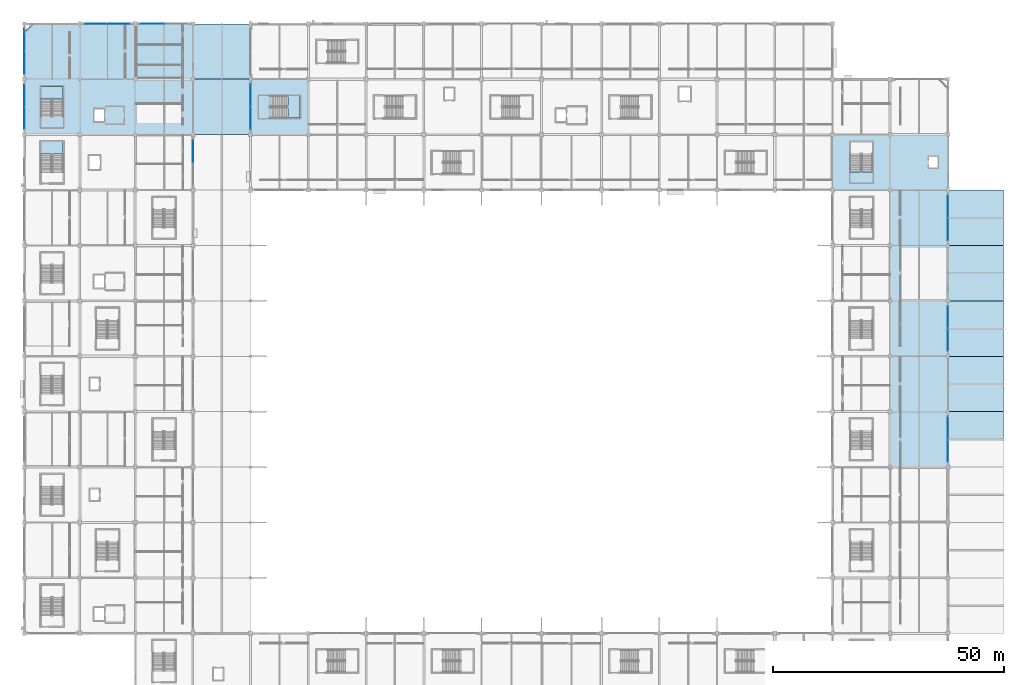
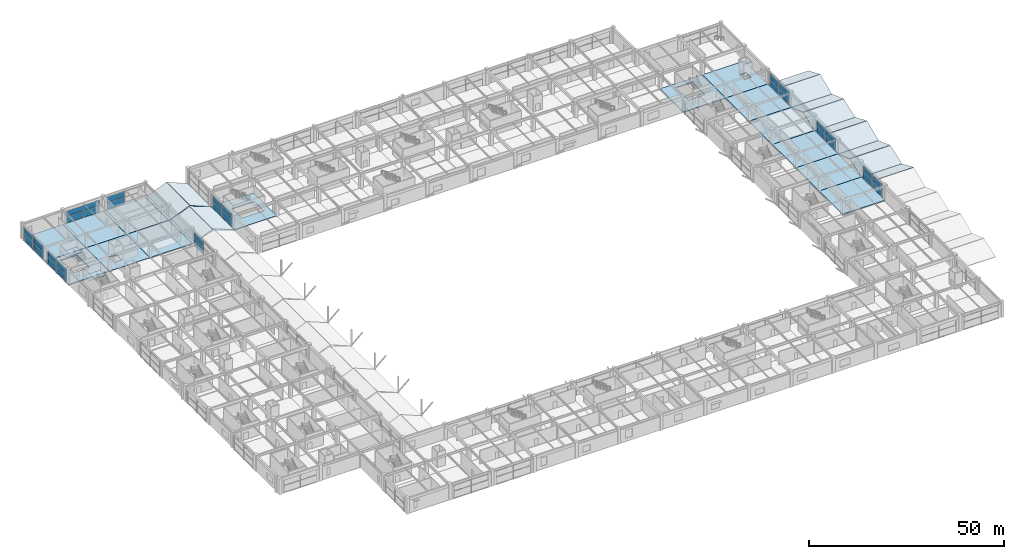
# One storey, part 59 of 116: 32 plates, 30 slabs, 12 elements without a shape of their own.
"""IFC4 building model written with IfcOpenShell, lengths in metres."""

from ifc_helpers import new_model, si_unit, direction, frame, origin, origin_2d, place, context, subcontext, project, spatial, polyline, rectangle, outline, extrude, material, layer, layer_set, type_object, element, aggregate, save


model = new_model("IFC4")

# Units and contexts
model_context = context("Model", 3, precision=1e-05, world=origin(), true_north=direction((0.0, 1.0)))
body_context = subcontext(model_context, "Body", "Model", "MODEL_VIEW")
ifc_project = project(units=[si_unit("LENGTHUNIT", "METRE"), si_unit("AREAUNIT", "SQUARE_METRE"), si_unit("VOLUMEUNIT", "CUBIC_METRE"), si_unit("PLANEANGLEUNIT", "RADIAN"), si_unit("MASSUNIT", "GRAM", prefix="KILO")], contexts=[model_context])

# Site, building, storey
site_placement = place(None, origin())
site = spatial("IfcSite", under=ifc_project, at=site_placement, CompositionType="ELEMENT")
building_placement = place(site_placement, origin())
building = spatial("IfcBuilding", under=site, at=building_placement, Name="Kazenohara Klinker Stadium", CompositionType="ELEMENT")
storey_placement = place(building_placement, frame((0.0, 0.0, 10.199951171875)))
storey = spatial("IfcBuildingStorey", under=building, at=storey_placement, Name="L02", CompositionType="ELEMENT", Elevation=10.199951171875)

# Curtain wall, plates
ifc_material_1 = material(Name="Anodised aluminium and triple glazing", Category="aluminium")
ifc_layer_1 = layer(ifc_material_1, 0.199951171875)
ifc_layer_set_1 = layer_set([ifc_layer_1], Name="Anodised aluminium and triple glazing")
curtain_wall_type_1 = type_object("IfcCurtainWallType", Name="CW-SYS-03", PredefinedType="USERDEFINED", material=ifc_layer_set_1)
curtain_wall_1_placement = place(storey_placement, origin())
curtain_wall_1 = element("IfcCurtainWall", 1, at=curtain_wall_1_placement, inside=storey, type_object=curtain_wall_type_1, Name="Unitised facade curtain wall CW03 L02 Y0-13", ObjectType="UNITISED CURTAIN WALL", PredefinedType="USERDEFINED")
ifc_material_2 = material(Name="Low-e laminated triple glazing", Category="glass")
ifc_layer_2 = layer(ifc_material_2, 0.035888671875)
ifc_layer_set_2 = layer_set([ifc_layer_2], Name="Low-e laminated triple glazing")
plate_type_1 = type_object("IfcPlateType", Name="CW-PNL-36", PredefinedType="CURTAIN_PANEL", material=ifc_layer_set_2)
plate_1_placement = place(storey_placement, frame((0.0, 159.580810546875, 0.065185546875), z_axis=(0.0, 0.0, 1.0), x_axis=(0.0, 1.0, 0.0)))
plate_1 = element("IfcPlate", 2, at=plate_1_placement, type_object=plate_type_1, Name="CW03 panel 1.1", PredefinedType="CURTAIN_PANEL", context=body_context, shape_type="SweptSolid", body=[
    extrude(rectangle(XDim=4.823486328125, YDim=0.035888671875, at=origin_2d()), origin(), (0.0, 0.0, 1.0), 2.16845703125),
])
plate_2_placement = place(storey_placement, frame((0.0, 159.580810546875, 2.29833984375), z_axis=(0.0, 0.0, 1.0), x_axis=(0.0, 1.0, 0.0)))
plate_2 = element("IfcPlate", 3, at=plate_2_placement, type_object=plate_type_1, Name="CW03 panel 1.2", PredefinedType="CURTAIN_PANEL", context=body_context, shape_type="SweptSolid", body=[
    extrude(rectangle(XDim=4.823486328125, YDim=0.035888671875, at=origin_2d()), origin(), (0.0, 0.0, 1.0), 1.756591796875),
])
plate_3_placement = place(storey_placement, frame((0.0, 164.46923828125, 0.065185546875), z_axis=(0.0, 0.0, 1.0), x_axis=(0.0, 1.0, 0.0)))
plate_3 = element("IfcPlate", 4, at=plate_3_placement, type_object=plate_type_1, Name="CW03 panel 2.1", PredefinedType="CURTAIN_PANEL", context=body_context, shape_type="SweptSolid", body=[
    extrude(rectangle(XDim=4.823486328125, YDim=0.035888671875, at=origin_2d()), origin(), (0.0, 0.0, 1.0), 2.16845703125),
])
plate_4_placement = place(storey_placement, frame((0.0, 164.46923828125, 2.29833984375), z_axis=(0.0, 0.0, 1.0), x_axis=(0.0, 1.0, 0.0)))
plate_4 = element("IfcPlate", 5, at=plate_4_placement, type_object=plate_type_1, Name="CW03 panel 2.2", PredefinedType="CURTAIN_PANEL", context=body_context, shape_type="SweptSolid", body=[
    extrude(rectangle(XDim=4.823486328125, YDim=0.035888671875, at=origin_2d()), origin(), (0.0, 0.0, 1.0), 1.756591796875),
])
aggregate(curtain_wall_1, [plate_1, plate_2, plate_3, plate_4])

ifc_layer_3 = layer(ifc_material_1, 0.159912109375)
ifc_layer_set_3 = layer_set([ifc_layer_3], Name="Anodised aluminium and triple glazing")
curtain_wall_type_2 = type_object("IfcCurtainWallType", Name="CW-SYS-01", PredefinedType="USERDEFINED", material=ifc_layer_set_3)
curtain_wall_2_placement = place(storey_placement, origin())
curtain_wall_2 = element("IfcCurtainWall", 6, at=curtain_wall_2_placement, inside=storey, type_object=curtain_wall_type_2, Name="Unitised facade curtain wall CW01 L02 X2-14", ObjectType="UNITISED CURTAIN WALL", PredefinedType="USERDEFINED")
plate_5_placement = place(storey_placement, frame((27.705810546875, 168.0, 0.065185546875), z_axis=(0.0, 0.0, 1.0), x_axis=(1.0, 0.0, 0.0)))
plate_5 = element("IfcPlate", 7, at=plate_5_placement, type_object=plate_type_1, Name="CW01 panel 1.1", PredefinedType="CURTAIN_PANEL", context=body_context, shape_type="SweptSolid", body=[
    extrude(rectangle(XDim=5.073486328125, YDim=0.035888671875, at=origin_2d()), origin(), (0.0, 0.0, 1.0), 2.16845703125),
])
plate_6_placement = place(storey_placement, frame((27.705810546875, 168.0, 2.29833984375), z_axis=(0.0, 0.0, 1.0), x_axis=(1.0, 0.0, 0.0)))
plate_6 = element("IfcPlate", 8, at=plate_6_placement, type_object=plate_type_1, Name="CW01 panel 1.2", PredefinedType="CURTAIN_PANEL", context=body_context, shape_type="SweptSolid", body=[
    extrude(rectangle(XDim=5.073486328125, YDim=0.035888671875, at=origin_2d()), origin(), (0.0, 0.0, 1.0), 1.756591796875),
])
aggregate(curtain_wall_2, [plate_5, plate_6])

ifc_layer_4 = layer(ifc_material_1, 0.18994140625)
ifc_layer_set_4 = layer_set([ifc_layer_4], Name="Anodised aluminium and triple glazing")
curtain_wall_type_3 = type_object("IfcCurtainWallType", Name="CW-SYS-05", PredefinedType="USERDEFINED", material=ifc_layer_set_4)
curtain_wall_3_placement = place(storey_placement, origin())
curtain_wall_3 = element("IfcCurtainWall", 9, at=curtain_wall_3_placement, inside=storey, type_object=curtain_wall_type_3, Name="Unitised facade curtain wall CW05 L02 Y4-12", ObjectType="UNITISED CURTAIN WALL", PredefinedType="USERDEFINED")
plate_7_placement = place(storey_placement, frame((49.0, 147.580810546875, 0.065185546875), z_axis=(0.0, 0.0, 1.0), x_axis=(0.0, 1.0, 0.0)))
plate_7 = element("IfcPlate", 10, at=plate_7_placement, type_object=plate_type_1, Name="CW05 panel 1.1", PredefinedType="CURTAIN_PANEL", context=body_context, shape_type="SweptSolid", body=[
    extrude(rectangle(XDim=4.823486328125, YDim=0.035888671875, at=origin_2d()), origin(), (0.0, 0.0, 1.0), 2.16845703125),
])
plate_8_placement = place(storey_placement, frame((49.0, 147.580810546875, 2.29833984375), z_axis=(0.0, 0.0, 1.0), x_axis=(0.0, 1.0, 0.0)))
plate_8 = element("IfcPlate", 11, at=plate_8_placement, type_object=plate_type_1, Name="CW05 panel 1.2", PredefinedType="CURTAIN_PANEL", context=body_context, shape_type="SweptSolid", body=[
    extrude(rectangle(XDim=4.823486328125, YDim=0.035888671875, at=origin_2d()), origin(), (0.0, 0.0, 1.0), 1.756591796875),
])
plate_9_placement = place(storey_placement, frame((49.0, 152.46923828125, 0.065185546875), z_axis=(0.0, 0.0, 1.0), x_axis=(0.0, 1.0, 0.0)))
plate_9 = element("IfcPlate", 12, at=plate_9_placement, type_object=plate_type_1, Name="CW05 panel 2.1", PredefinedType="CURTAIN_PANEL", context=body_context, shape_type="SweptSolid", body=[
    extrude(rectangle(XDim=4.823486328125, YDim=0.035888671875, at=origin_2d()), origin(), (0.0, 0.0, 1.0), 2.16845703125),
])
plate_10_placement = place(storey_placement, frame((49.0, 152.46923828125, 2.29833984375), z_axis=(0.0, 0.0, 1.0), x_axis=(0.0, 1.0, 0.0)))
plate_10 = element("IfcPlate", 13, at=plate_10_placement, type_object=plate_type_1, Name="CW05 panel 2.2", PredefinedType="CURTAIN_PANEL", context=body_context, shape_type="SweptSolid", body=[
    extrude(rectangle(XDim=4.823486328125, YDim=0.035888671875, at=origin_2d()), origin(), (0.0, 0.0, 1.0), 1.756591796875),
])
aggregate(curtain_wall_3, [plate_7, plate_8, plate_9, plate_10])

curtain_wall_4_placement = place(storey_placement, origin())
curtain_wall_4 = element("IfcCurtainWall", 14, at=curtain_wall_4_placement, inside=storey, type_object=curtain_wall_type_2, Name="Unitised facade curtain wall CW01 L02 Y16-6", ObjectType="UNITISED CURTAIN WALL", PredefinedType="USERDEFINED")
plate_11_placement = place(storey_placement, frame((200.0, 75.580810546875, 0.065185546875), z_axis=(0.0, 0.0, 1.0), x_axis=(0.0, 1.0, 0.0)))
plate_11 = element("IfcPlate", 15, at=plate_11_placement, type_object=plate_type_1, Name="CW01 panel 1.1", PredefinedType="CURTAIN_PANEL", context=body_context, shape_type="SweptSolid", body=[
    extrude(rectangle(XDim=4.823486328125, YDim=0.035888671875, at=origin_2d()), origin(), (0.0, 0.0, 1.0), 2.16845703125),
])
plate_12_placement = place(storey_placement, frame((200.0, 75.580810546875, 2.29833984375), z_axis=(0.0, 0.0, 1.0), x_axis=(0.0, 1.0, 0.0)))
plate_12 = element("IfcPlate", 16, at=plate_12_placement, type_object=plate_type_1, Name="CW01 panel 1.2", PredefinedType="CURTAIN_PANEL", context=body_context, shape_type="SweptSolid", body=[
    extrude(rectangle(XDim=4.823486328125, YDim=0.035888671875, at=origin_2d()), origin(), (0.0, 0.0, 1.0), 1.756591796875),
])
plate_13_placement = place(storey_placement, frame((200.0, 80.46923828125, 0.065185546875), z_axis=(0.0, 0.0, 1.0), x_axis=(0.0, 1.0, 0.0)))
plate_13 = element("IfcPlate", 17, at=plate_13_placement, type_object=plate_type_1, Name="CW01 panel 2.1", PredefinedType="CURTAIN_PANEL", context=body_context, shape_type="SweptSolid", body=[
    extrude(rectangle(XDim=4.823486328125, YDim=0.035888671875, at=origin_2d()), origin(), (0.0, 0.0, 1.0), 2.16845703125),
])
plate_14_placement = place(storey_placement, frame((200.0, 80.46923828125, 2.29833984375), z_axis=(0.0, 0.0, 1.0), x_axis=(0.0, 1.0, 0.0)))
plate_14 = element("IfcPlate", 18, at=plate_14_placement, type_object=plate_type_1, Name="CW01 panel 2.2", PredefinedType="CURTAIN_PANEL", context=body_context, shape_type="SweptSolid", body=[
    extrude(rectangle(XDim=4.823486328125, YDim=0.035888671875, at=origin_2d()), origin(), (0.0, 0.0, 1.0), 1.756591796875),
])
aggregate(curtain_wall_4, [plate_11, plate_12, plate_13, plate_14])

curtain_wall_5_placement = place(storey_placement, origin())
curtain_wall_5 = element("IfcCurtainWall", 19, at=curtain_wall_5_placement, inside=storey, type_object=curtain_wall_type_1, Name="Unitised facade curtain wall CW03 L02 Y16-10", ObjectType="UNITISED CURTAIN WALL", PredefinedType="USERDEFINED")
plate_15_placement = place(storey_placement, frame((200.0, 123.518310546875, 0.065185546875), z_axis=(0.0, 0.0, 1.0), x_axis=(0.0, 1.0, 0.0)))
plate_15 = element("IfcPlate", 20, at=plate_15_placement, type_object=plate_type_1, Name="CW03 panel 1.1", PredefinedType="CURTAIN_PANEL", context=body_context, shape_type="SweptSolid", body=[
    extrude(rectangle(XDim=4.798583984375, YDim=0.035888671875, at=origin_2d()), origin(), (0.0, 0.0, 1.0), 2.22998046875),
])
plate_16_placement = place(storey_placement, frame((200.0, 123.518310546875, 2.3603515625), z_axis=(0.0, 0.0, 1.0), x_axis=(0.0, 1.0, 0.0)))
plate_16 = element("IfcPlate", 21, at=plate_16_placement, type_object=plate_type_1, Name="CW03 panel 1.2", PredefinedType="CURTAIN_PANEL", context=body_context, shape_type="SweptSolid", body=[
    extrude(rectangle(XDim=4.798583984375, YDim=0.035888671875, at=origin_2d()), origin(), (0.0, 0.0, 1.0), 1.806884765625),
])
plate_17_placement = place(storey_placement, frame((200.0, 128.3818359375, 0.065185546875), z_axis=(0.0, 0.0, 1.0), x_axis=(0.0, 1.0, 0.0)))
plate_17 = element("IfcPlate", 22, at=plate_17_placement, type_object=plate_type_1, Name="CW03 panel 2.1", PredefinedType="CURTAIN_PANEL", context=body_context, shape_type="SweptSolid", body=[
    extrude(rectangle(XDim=4.798583984375, YDim=0.035888671875, at=origin_2d()), origin(), (0.0, 0.0, 1.0), 2.22998046875),
])
plate_18_placement = place(storey_placement, frame((200.0, 128.3818359375, 2.3603515625), z_axis=(0.0, 0.0, 1.0), x_axis=(0.0, 1.0, 0.0)))
plate_18 = element("IfcPlate", 23, at=plate_18_placement, type_object=plate_type_1, Name="CW03 panel 2.2", PredefinedType="CURTAIN_PANEL", context=body_context, shape_type="SweptSolid", body=[
    extrude(rectangle(XDim=4.798583984375, YDim=0.035888671875, at=origin_2d()), origin(), (0.0, 0.0, 1.0), 1.806884765625),
])
aggregate(curtain_wall_5, [plate_15, plate_16, plate_17, plate_18])

ifc_layer_5 = layer(ifc_material_1, 0.179931640625)
ifc_layer_set_5 = layer_set([ifc_layer_5], Name="Anodised aluminium and triple glazing")
curtain_wall_type_4 = type_object("IfcCurtainWallType", Name="CW-SYS-02", PredefinedType="USERDEFINED", material=ifc_layer_set_5)
curtain_wall_6_placement = place(storey_placement, origin())
curtain_wall_6 = element("IfcCurtainWall", 24, at=curtain_wall_6_placement, inside=storey, type_object=curtain_wall_type_4, Name="Unitised facade curtain wall CW02 L02 Y0-12", ObjectType="UNITISED CURTAIN WALL", PredefinedType="USERDEFINED")
ifc_layer_6 = layer(ifc_material_2, 0.0439453125)
ifc_layer_set_6 = layer_set([ifc_layer_6], Name="Low-e laminated triple glazing")
plate_type_2 = type_object("IfcPlateType", Name="CW-PNL-44", PredefinedType="CURTAIN_PANEL", material=ifc_layer_set_6)
plate_19_placement = place(storey_placement, frame((0.0, 147.608154296875, 0.0751953125), z_axis=(0.0, 0.0, 1.0), x_axis=(0.0, 1.0, 0.0)))
plate_19 = element("IfcPlate", 25, at=plate_19_placement, type_object=plate_type_2, Name="CW02 panel 1.1", PredefinedType="CURTAIN_PANEL", context=body_context, shape_type="SweptSolid", body=[
    extrude(rectangle(XDim=4.758544921875, YDim=0.0439453125, at=origin_2d()), origin(), (0.0, 0.0, 1.0), 2.098388671875),
])
plate_20_placement = place(storey_placement, frame((0.0, 147.608154296875, 2.24853515625), z_axis=(0.0, 0.0, 1.0), x_axis=(0.0, 1.0, 0.0)))
plate_20 = element("IfcPlate", 26, at=plate_20_placement, type_object=plate_type_2, Name="CW02 panel 1.2", PredefinedType="CURTAIN_PANEL", context=body_context, shape_type="SweptSolid", body=[
    extrude(rectangle(XDim=4.758544921875, YDim=0.0439453125, at=origin_2d()), origin(), (0.0, 0.0, 1.0), 1.696533203125),
])
plate_21_placement = place(storey_placement, frame((0.0, 152.441650390625, 0.0751953125), z_axis=(0.0, 0.0, 1.0), x_axis=(0.0, 1.0, 0.0)))
plate_21 = element("IfcPlate", 27, at=plate_21_placement, type_object=plate_type_2, Name="CW02 panel 2.1", PredefinedType="CURTAIN_PANEL", context=body_context, shape_type="SweptSolid", body=[
    extrude(rectangle(XDim=4.758544921875, YDim=0.0439453125, at=origin_2d()), origin(), (0.0, 0.0, 1.0), 2.098388671875),
])
plate_22_placement = place(storey_placement, frame((0.0, 152.441650390625, 2.24853515625), z_axis=(0.0, 0.0, 1.0), x_axis=(0.0, 1.0, 0.0)))
plate_22 = element("IfcPlate", 28, at=plate_22_placement, type_object=plate_type_2, Name="CW02 panel 2.2", PredefinedType="CURTAIN_PANEL", context=body_context, shape_type="SweptSolid", body=[
    extrude(rectangle(XDim=4.758544921875, YDim=0.0439453125, at=origin_2d()), origin(), (0.0, 0.0, 1.0), 1.696533203125),
])
aggregate(curtain_wall_6, [plate_19, plate_20, plate_21, plate_22])

ifc_layer_7 = layer(ifc_material_1, 0.169921875)
ifc_layer_set_7 = layer_set([ifc_layer_7], Name="Anodised aluminium and triple glazing")
curtain_wall_type_5 = type_object("IfcCurtainWallType", Name="CW-SYS-04", PredefinedType="USERDEFINED", material=ifc_layer_set_7)
curtain_wall_7_placement = place(storey_placement, origin())
curtain_wall_7 = element("IfcCurtainWall", 29, at=curtain_wall_7_placement, inside=storey, type_object=curtain_wall_type_5, Name="Unitised facade curtain wall CW04 L02 X1-14", ObjectType="UNITISED CURTAIN WALL", PredefinedType="USERDEFINED")
plate_23_placement = place(storey_placement, frame((15.533203125, 168.0, 0.0751953125), z_axis=(0.0, 0.0, 1.0), x_axis=(1.0, 0.0, 0.0)))
plate_23 = element("IfcPlate", 30, at=plate_23_placement, type_object=plate_type_2, Name="CW04 panel 1.1", PredefinedType="CURTAIN_PANEL", context=body_context, shape_type="SweptSolid", body=[
    extrude(rectangle(XDim=4.80859375, YDim=0.0439453125, at=origin_2d()), origin(), (0.0, 0.0, 1.0), 2.098388671875),
])
plate_24_placement = place(storey_placement, frame((15.533203125, 168.0, 2.24853515625), z_axis=(0.0, 0.0, 1.0), x_axis=(1.0, 0.0, 0.0)))
plate_24 = element("IfcPlate", 31, at=plate_24_placement, type_object=plate_type_2, Name="CW04 panel 1.2", PredefinedType="CURTAIN_PANEL", context=body_context, shape_type="SweptSolid", body=[
    extrude(rectangle(XDim=4.80859375, YDim=0.0439453125, at=origin_2d()), origin(), (0.0, 0.0, 1.0), 1.696533203125),
])
plate_25_placement = place(storey_placement, frame((20.416748046875, 168.0, 0.0751953125), z_axis=(0.0, 0.0, 1.0), x_axis=(1.0, 0.0, 0.0)))
plate_25 = element("IfcPlate", 32, at=plate_25_placement, type_object=plate_type_2, Name="CW04 panel 2.1", PredefinedType="CURTAIN_PANEL", context=body_context, shape_type="SweptSolid", body=[
    extrude(rectangle(XDim=4.80859375, YDim=0.0439453125, at=origin_2d()), origin(), (0.0, 0.0, 1.0), 2.098388671875),
])
plate_26_placement = place(storey_placement, frame((20.416748046875, 168.0, 2.24853515625), z_axis=(0.0, 0.0, 1.0), x_axis=(1.0, 0.0, 0.0)))
plate_26 = element("IfcPlate", 33, at=plate_26_placement, type_object=plate_type_2, Name="CW04 panel 2.2", PredefinedType="CURTAIN_PANEL", context=body_context, shape_type="SweptSolid", body=[
    extrude(rectangle(XDim=4.80859375, YDim=0.0439453125, at=origin_2d()), origin(), (0.0, 0.0, 1.0), 1.696533203125),
])
aggregate(curtain_wall_7, [plate_23, plate_24, plate_25, plate_26])

curtain_wall_8_placement = place(storey_placement, origin())
curtain_wall_8 = element("IfcCurtainWall", 34, at=curtain_wall_8_placement, inside=storey, type_object=curtain_wall_type_3, Name="Unitised facade curtain wall CW05 L02 Y3-11", ObjectType="UNITISED CURTAIN WALL", PredefinedType="USERDEFINED")
plate_27_placement = place(storey_placement, frame((36.5, 140.379150390625, 0.0751953125), z_axis=(0.0, 0.0, 1.0), x_axis=(0.0, 1.0, 0.0)))
plate_27 = element("IfcPlate", 35, at=plate_27_placement, type_object=plate_type_2, Name="CW05 panel 2.1", PredefinedType="CURTAIN_PANEL", context=body_context, shape_type="SweptSolid", body=[
    extrude(rectangle(XDim=4.783447265625, YDim=0.0439453125, at=origin_2d()), origin(), (0.0, 0.0, 1.0), 2.215087890625),
])
plate_28_placement = place(storey_placement, frame((36.5, 140.379150390625, 2.364990234375), z_axis=(0.0, 0.0, 1.0), x_axis=(0.0, 1.0, 0.0)))
plate_28 = element("IfcPlate", 36, at=plate_28_placement, type_object=plate_type_2, Name="CW05 panel 2.2", PredefinedType="CURTAIN_PANEL", context=body_context, shape_type="SweptSolid", body=[
    extrude(rectangle(XDim=4.783447265625, YDim=0.0439453125, at=origin_2d()), origin(), (0.0, 0.0, 1.0), 1.7919921875),
])
aggregate(curtain_wall_8, [plate_27, plate_28])

curtain_wall_9_placement = place(storey_placement, origin())
curtain_wall_9 = element("IfcCurtainWall", 37, at=curtain_wall_9_placement, inside=storey, type_object=curtain_wall_type_4, Name="Unitised facade curtain wall CW02 L02 Y16-8", ObjectType="UNITISED CURTAIN WALL", PredefinedType="USERDEFINED")
plate_29_placement = place(storey_placement, frame((200.0, 99.608154296875, 0.0751953125), z_axis=(0.0, 0.0, 1.0), x_axis=(0.0, 1.0, 0.0)))
plate_29 = element("IfcPlate", 38, at=plate_29_placement, type_object=plate_type_2, Name="CW02 panel 1.1", PredefinedType="CURTAIN_PANEL", context=body_context, shape_type="SweptSolid", body=[
    extrude(rectangle(XDim=4.758544921875, YDim=0.0439453125, at=origin_2d()), origin(), (0.0, 0.0, 1.0), 2.098388671875),
])
plate_30_placement = place(storey_placement, frame((200.0, 99.608154296875, 2.24853515625), z_axis=(0.0, 0.0, 1.0), x_axis=(0.0, 1.0, 0.0)))
plate_30 = element("IfcPlate", 39, at=plate_30_placement, type_object=plate_type_2, Name="CW02 panel 1.2", PredefinedType="CURTAIN_PANEL", context=body_context, shape_type="SweptSolid", body=[
    extrude(rectangle(XDim=4.758544921875, YDim=0.0439453125, at=origin_2d()), origin(), (0.0, 0.0, 1.0), 1.696533203125),
])
plate_31_placement = place(storey_placement, frame((200.0, 104.441650390625, 0.0751953125), z_axis=(0.0, 0.0, 1.0), x_axis=(0.0, 1.0, 0.0)))
plate_31 = element("IfcPlate", 40, at=plate_31_placement, type_object=plate_type_2, Name="CW02 panel 2.1", PredefinedType="CURTAIN_PANEL", context=body_context, shape_type="SweptSolid", body=[
    extrude(rectangle(XDim=4.758544921875, YDim=0.0439453125, at=origin_2d()), origin(), (0.0, 0.0, 1.0), 2.098388671875),
])
plate_32_placement = place(storey_placement, frame((200.0, 104.441650390625, 2.24853515625), z_axis=(0.0, 0.0, 1.0), x_axis=(0.0, 1.0, 0.0)))
plate_32 = element("IfcPlate", 41, at=plate_32_placement, type_object=plate_type_2, Name="CW02 panel 2.2", PredefinedType="CURTAIN_PANEL", context=body_context, shape_type="SweptSolid", body=[
    extrude(rectangle(XDim=4.758544921875, YDim=0.0439453125, at=origin_2d()), origin(), (0.0, 0.0, 1.0), 1.696533203125),
])
aggregate(curtain_wall_9, [plate_29, plate_30, plate_31, plate_32])

# Slabs
ifc_material_3 = material(Name="Concrete C40/50", Category="concrete")
ifc_layer_8 = layer(ifc_material_3, 0.25)
ifc_layer_set_8 = layer_set([ifc_layer_8], Name="Concrete C40/50")
slab_type_1 = type_object("IfcSlabType", Name="SLB-FLR-250", PredefinedType="FLOOR", material=ifc_layer_set_8)
slab_1_placement = place(storey_placement, frame((0.0, 0.0, -0.25)))
element("IfcSlab", 42, at=slab_1_placement, inside=storey, type_object=slab_type_1, Name="Floor slab FS03 L02 1/N", PredefinedType="FLOOR", context=body_context, shape_type="SweptSolid", body=[
    extrude(outline(polyline([(0.0, 144.0), (12.0, 144.0), (12.0, 156.0), (0.0, 156.0), (0.0, 144.0)]), holes=[polyline([(8.409912109375, 147.929931640625), (8.409912109375, 154.4599609375), (3.590087890625, 154.4599609375), (3.590087890625, 147.929931640625), (8.409912109375, 147.929931640625)])]), origin(), (0.0, 0.0, 1.0), 0.25),
])
slab_2_placement = place(storey_placement, frame((0.0, 0.0, -0.25)))
element("IfcSlab", 43, at=slab_2_placement, inside=storey, type_object=slab_type_1, Name="Floor slab FS03 L02 1/P", PredefinedType="FLOOR", context=body_context, shape_type="SweptSolid", body=[
    extrude(outline(polyline([(0.0, 156.0), (12.0, 156.0), (12.0, 168.0), (1.800048828125, 168.0), (0.0, 166.199951171875), (0.0, 156.0)])), origin(), (0.0, 0.0, 1.0), 0.25),
])
slab_3_placement = place(storey_placement, frame((0.0, 0.0, -0.25)))
element("IfcSlab", 44, at=slab_3_placement, inside=storey, type_object=slab_type_1, Name="Floor slab FS03 L02 2/N", PredefinedType="FLOOR", context=body_context, shape_type="SweptSolid", body=[
    extrude(outline(polyline([(12.0, 144.0), (24.0, 144.0), (24.0, 156.0), (12.0, 156.0), (12.0, 144.0)]), holes=[polyline([(15.14990234375, 146.85009765625), (17.25, 146.85009765625), (17.25, 149.550048828125), (15.14990234375, 149.550048828125), (15.14990234375, 146.85009765625)])]), origin(), (0.0, 0.0, 1.0), 0.25),
])
slab_4_placement = place(storey_placement, frame((0.0, 0.0, -0.25)))
element("IfcSlab", 45, at=slab_4_placement, inside=storey, type_object=slab_type_1, Name="Floor slab FS03 L02 2/P", PredefinedType="FLOOR", context=body_context, shape_type="SweptSolid", body=[
    extrude(outline(polyline([(12.0, 156.0), (24.0, 156.0), (24.0, 168.0), (12.0, 168.0), (12.0, 156.0)])), origin(), (0.0, 0.0, 1.0), 0.25),
])
slab_5_placement = place(storey_placement, frame((0.0, 0.0, -0.25)))
element("IfcSlab", 46, at=slab_5_placement, inside=storey, type_object=slab_type_1, Name="Floor slab FS03 L02 3/N", PredefinedType="FLOOR", context=body_context, shape_type="SweptSolid", body=[
    extrude(outline(polyline([(24.0, 144.0), (36.5, 144.0), (36.5, 156.0), (24.0, 156.0), (24.0, 144.0)])), origin(), (0.0, 0.0, 1.0), 0.25),
])
slab_6_placement = place(storey_placement, frame((0.0, 0.0, -0.25)))
element("IfcSlab", 47, at=slab_6_placement, inside=storey, type_object=slab_type_1, Name="Floor slab FS03 L02 3/P", PredefinedType="FLOOR", context=body_context, shape_type="SweptSolid", body=[
    extrude(outline(polyline([(24.0, 156.0), (36.5, 156.0), (36.5, 168.0), (24.0, 168.0), (24.0, 156.0)])), origin(), (0.0, 0.0, 1.0), 0.25),
])
slab_7_placement = place(storey_placement, frame((0.0, 0.0, -0.25)))
element("IfcSlab", 48, at=slab_7_placement, inside=storey, type_object=slab_type_1, Name="Floor slab FS03 L02 5/N", PredefinedType="FLOOR", context=body_context, shape_type="SweptSolid", body=[
    extrude(outline(polyline([(49.0, 144.0), (61.5, 144.0), (61.5, 156.0), (49.0, 156.0), (49.0, 144.0)]), holes=[polyline([(53.2099609375, 147.56005859375), (59.7099609375, 147.56005859375), (59.7099609375, 152.43994140625), (53.2099609375, 152.43994140625), (53.2099609375, 147.56005859375)])]), origin(), (0.0, 0.0, 1.0), 0.25),
])
slab_8_placement = place(storey_placement, frame((0.0, 0.0, -0.25)))
element("IfcSlab", 49, at=slab_8_placement, inside=storey, type_object=slab_type_1, Name="Floor slab FS03 L02 15/M", PredefinedType="FLOOR", context=body_context, shape_type="SweptSolid", body=[
    extrude(outline(polyline([(175.0, 132.0), (187.5, 132.0), (187.5, 144.0), (175.0, 144.0), (175.0, 132.0)]), holes=[polyline([(183.68994140625, 135.9599609375), (183.68994140625, 142.4599609375), (178.81005859375, 142.4599609375), (178.81005859375, 135.9599609375), (183.68994140625, 135.9599609375)])]), origin(), (0.0, 0.0, 1.0), 0.25),
])
slab_9_placement = place(storey_placement, frame((0.0, 0.0, -0.25)))
element("IfcSlab", 50, at=slab_9_placement, inside=storey, type_object=slab_type_1, Name="Floor slab FS03 L02 16/G", PredefinedType="FLOOR", context=body_context, shape_type="SweptSolid", body=[
    extrude(outline(polyline([(187.5, 72.0), (200.0, 72.0), (200.0, 84.0), (187.5, 84.0), (187.5, 72.0)])), origin(), (0.0, 0.0, 1.0), 0.25),
])
slab_10_placement = place(storey_placement, frame((0.0, 0.0, -0.25)))
element("IfcSlab", 51, at=slab_10_placement, inside=storey, type_object=slab_type_1, Name="Floor slab FS03 L02 16/H", PredefinedType="FLOOR", context=body_context, shape_type="SweptSolid", body=[
    extrude(outline(polyline([(187.5, 84.0), (200.0, 84.0), (200.0, 96.0), (187.5, 96.0), (187.5, 84.0)])), origin(), (0.0, 0.0, 1.0), 0.25),
])
slab_11_placement = place(storey_placement, frame((0.0, 0.0, -0.25)))
element("IfcSlab", 52, at=slab_11_placement, inside=storey, type_object=slab_type_1, Name="Floor slab FS03 L02 16/J", PredefinedType="FLOOR", context=body_context, shape_type="SweptSolid", body=[
    extrude(outline(polyline([(187.5, 96.0), (200.0, 96.0), (200.0, 108.0), (187.5, 108.0), (187.5, 96.0)])), origin(), (0.0, 0.0, 1.0), 0.25),
])
slab_12_placement = place(storey_placement, frame((0.0, 0.0, -0.25)))
element("IfcSlab", 53, at=slab_12_placement, inside=storey, type_object=slab_type_1, Name="Floor slab FS03 L02 16/K", PredefinedType="FLOOR", context=body_context, shape_type="SweptSolid", body=[
    extrude(outline(polyline([(187.5, 108.0), (200.0, 108.0), (200.0, 120.0), (187.5, 120.0), (187.5, 108.0)])), origin(), (0.0, 0.0, 1.0), 0.25),
])
slab_13_placement = place(storey_placement, frame((0.0, 0.0, -0.25)))
element("IfcSlab", 54, at=slab_13_placement, inside=storey, type_object=slab_type_1, Name="Floor slab FS03 L02 16/L", PredefinedType="FLOOR", context=body_context, shape_type="SweptSolid", body=[
    extrude(outline(polyline([(187.5, 120.0), (200.0, 120.0), (200.0, 132.0), (187.5, 132.0), (187.5, 120.0)])), origin(), (0.0, 0.0, 1.0), 0.25),
])
slab_14_placement = place(storey_placement, frame((0.0, 0.0, -0.25)))
element("IfcSlab", 55, at=slab_14_placement, inside=storey, type_object=slab_type_1, Name="Floor slab FS03 L02 16/M", PredefinedType="FLOOR", context=body_context, shape_type="SweptSolid", body=[
    extrude(outline(polyline([(187.5, 132.0), (200.0, 132.0), (200.0, 144.0), (187.5, 144.0), (187.5, 132.0)]), holes=[polyline([(195.85009765625, 136.800048828125), (197.75, 136.800048828125), (197.75, 139.199951171875), (195.85009765625, 139.199951171875), (195.85009765625, 136.800048828125)])]), origin(), (0.0, 0.0, 1.0), 0.25),
])

# Stair, slab
stair_type_1 = type_object("IfcStairType", Name="STR-DL-2300", PredefinedType="HALF_TURN_STAIR", material=ifc_material_3)
stair_1_placement = place(storey_placement, origin())
stair_1 = element("IfcStair", 56, at=stair_1_placement, inside=storey, type_object=stair_type_1, Name="L02 Enclosed escape stair ST05", PredefinedType="HALF_TURN_STAIR")
ifc_layer_9 = layer(ifc_material_3, 0.199951171875)
ifc_layer_set_9 = layer_set([ifc_layer_9], Name="Concrete C40/50")
slab_type_2 = type_object("IfcSlabType", Name="SLB-LND-200", PredefinedType="LANDING", material=ifc_layer_set_9)
slab_15_placement = place(storey_placement, frame((0.0, 0.0, 2.35009765625)))
slab_15 = element("IfcSlab", 57, at=slab_15_placement, type_object=slab_type_2, Name="ST05 landing 1", PredefinedType="LANDING", context=body_context, shape_type="SweptSolid", body=[
    extrude(outline(polyline([(8.39990234375, 139.760009765625), (8.39990234375, 142.4599609375), (3.60009765625, 142.4599609375), (3.60009765625, 139.760009765625), (8.39990234375, 139.760009765625)])), origin(), (0.0, 0.0, 1.0), 0.199951171875),
])
aggregate(stair_1, [slab_15])

stair_type_2 = type_object("IfcStairType", Name="STR-DL-2310", PredefinedType="HALF_TURN_STAIR", material=ifc_material_3)
stair_2_placement = place(storey_placement, origin())
stair_2 = element("IfcStair", 58, at=stair_2_placement, inside=storey, type_object=stair_type_2, Name="L02 Enclosed escape stair ST06", PredefinedType="HALF_TURN_STAIR")
slab_16_placement = place(storey_placement, frame((0.0, 0.0, 2.35009765625)))
slab_16 = element("IfcSlab", 59, at=slab_16_placement, type_object=slab_type_2, Name="ST06 landing 1", PredefinedType="LANDING", context=body_context, shape_type="SweptSolid", body=[
    extrude(outline(polyline([(8.409912109375, 151.77001953125), (8.409912109375, 154.4599609375), (3.590087890625, 154.4599609375), (3.590087890625, 151.77001953125), (8.409912109375, 151.77001953125)])), origin(), (0.0, 0.0, 1.0), 0.199951171875),
])
aggregate(stair_2, [slab_16])

stair_type_3 = type_object("IfcStairType", Name="STR-DL-2340", PredefinedType="HALF_TURN_STAIR", material=ifc_material_3)
stair_3_placement = place(storey_placement, origin())
stair_3 = element("IfcStair", 60, at=stair_3_placement, inside=storey, type_object=stair_type_3, Name="L02 Enclosed escape stair ST08", PredefinedType="HALF_TURN_STAIR")
slab_17_placement = place(storey_placement, frame((0.0, 0.0, 2.35009765625)))
slab_17 = element("IfcSlab", 61, at=slab_17_placement, type_object=slab_type_2, Name="ST08 landing 1", PredefinedType="LANDING", context=body_context, shape_type="SweptSolid", body=[
    extrude(outline(polyline([(57.050048828125, 147.56005859375), (59.7099609375, 147.56005859375), (59.7099609375, 152.43994140625), (57.050048828125, 152.43994140625), (57.050048828125, 147.56005859375)])), origin(), (0.0, 0.0, 1.0), 0.199951171875),
])
aggregate(stair_3, [slab_17])

# Slabs
ifc_material_4 = material(Name="Steel S355", Category="steel")
ifc_layer_10 = layer(ifc_material_4, 0.169921875)
ifc_layer_set_10 = layer_set([ifc_layer_10], Name="Steel S355")
slab_type_3 = type_object("IfcSlabType", Name="SLB-ROOF-170", PredefinedType="ROOF", material=ifc_layer_set_10)
for number, where, z_axis, x_axis, name in (
    (62, (36.5, 144.0, -0.079833984375), (-0.327622925614, 0.0, 0.944808561886), (0.944808561886, 0.0, 0.327622925614), "Sloped snow-shedding wing roof RS02 L02 4/N A"),
    (63, (42.800048828125, 144.0, 2.070068359375), (0.327622925614, 0.0, 0.944808561886), (0.944808561886, 0.0, -0.327622925614), "Sloped snow-shedding wing roof RS02 L02 4/N B"),
):
    element("IfcSlab", number, at=place(storey_placement, frame(where, z_axis=z_axis, x_axis=x_axis)), inside=storey, type_object=slab_type_3, Name=name, PredefinedType="ROOF", context=body_context, shape_type="SweptSolid", body=[
        extrude(outline(polyline([(0.0, 0.0), (6.5621242461032345, 0.0), (6.5621242461032345, 12.0), (0.0, 12.0), (0.0, 0.0)])), origin(), (0.0, 0.0, -1.0), 0.169921875),
    ])
for number, where, z_axis, x_axis, name in (
    (64, (36.5, 156.0, -0.079833984375), (-0.380352293876, 0.0, 0.924841679718), (0.924841679718, 0.0, 0.380352293876), "Sloped snow-shedding wing roof RS02 L02 4/P A"),
    (65, (42.800048828125, 156.0, 2.469970703125), (0.380352293876, 0.0, 0.924841679718), (0.924841679718, 0.0, -0.380352293876), "Sloped snow-shedding wing roof RS02 L02 4/P B"),
):
    element("IfcSlab", number, at=place(storey_placement, frame(where, z_axis=z_axis, x_axis=x_axis)), inside=storey, type_object=slab_type_3, Name=name, PredefinedType="ROOF", context=body_context, shape_type="SweptSolid", body=[
        extrude(outline(polyline([(0.0, 0.0), (6.703797317791698, 0.0), (6.703797317791698, 12.0), (0.0, 12.0), (0.0, 0.0)])), origin(), (0.0, 0.0, -1.0), 0.169921875),
    ])
slab_18_placement = place(storey_placement, frame((200.0, 78.050048828125, 2.469970703125), z_axis=(0.0, 0.393896539344, 0.919154783642), x_axis=(1.0, 0.0, 0.0)))
element("IfcSlab", 66, at=slab_18_placement, inside=storey, type_object=slab_type_3, Name="Sloped snow-shedding wing roof RS02 L02 17/G B", PredefinedType="ROOF", context=body_context, shape_type="SweptSolid", body=[
    extrude(outline(polyline([(0.0, 0.0), (12.0, 0.0), (12.0, 6.473285324477336), (0.0, 6.473285324477336), (0.0, 0.0)])), origin(), (0.0, 0.0, -1.0), 0.169921875),
])
for number, where, z_axis, x_axis, name in (
    (67, (200.0, 84.0, -0.079833984375), (0.0, -0.3398274788, 0.940487790805), (1.0, 0.0, 0.0), "Sloped snow-shedding wing roof RS02 L02 17/H A"),
    (68, (200.0, 90.050048828125, 2.070068359375), (0.0, 0.3398274788, 0.940487790805), (1.0, 0.0, 0.0), "Sloped snow-shedding wing roof RS02 L02 17/H B"),
):
    element("IfcSlab", number, at=place(storey_placement, frame(where, z_axis=z_axis, x_axis=x_axis)), inside=storey, type_object=slab_type_3, Name=name, PredefinedType="ROOF", context=body_context, shape_type="SweptSolid", body=[
        extrude(outline(polyline([(0.0, 0.0), (12.0, 0.0), (12.0, 6.326452326174476), (0.0, 6.326452326174476), (0.0, 0.0)])), origin(), (0.0, 0.0, -1.0), 0.169921875),
    ])
for number, where, z_axis, x_axis, name in (
    (69, (200.0, 96.0, -0.079833984375), (0.0, -0.393896539344, 0.919154783642), (1.0, 0.0, 0.0), "Sloped snow-shedding wing roof RS02 L02 17/J A"),
    (70, (200.0, 102.050048828125, 2.469970703125), (0.0, 0.393896539344, 0.919154783642), (1.0, 0.0, 0.0), "Sloped snow-shedding wing roof RS02 L02 17/J B"),
):
    element("IfcSlab", number, at=place(storey_placement, frame(where, z_axis=z_axis, x_axis=x_axis)), inside=storey, type_object=slab_type_3, Name=name, PredefinedType="ROOF", context=body_context, shape_type="SweptSolid", body=[
        extrude(outline(polyline([(0.0, 0.0), (12.0, 0.0), (12.0, 6.473285324477336), (0.0, 6.473285324477336), (0.0, 0.0)])), origin(), (0.0, 0.0, -1.0), 0.169921875),
    ])
for number, where, z_axis, x_axis, name in (
    (71, (200.0, 108.0, -0.079833984375), (0.0, -0.3398274788, 0.940487790805), (1.0, 0.0, 0.0), "Sloped snow-shedding wing roof RS02 L02 17/K A"),
    (72, (200.0, 114.050048828125, 2.070068359375), (0.0, 0.3398274788, 0.940487790805), (1.0, 0.0, 0.0), "Sloped snow-shedding wing roof RS02 L02 17/K B"),
):
    element("IfcSlab", number, at=place(storey_placement, frame(where, z_axis=z_axis, x_axis=x_axis)), inside=storey, type_object=slab_type_3, Name=name, PredefinedType="ROOF", context=body_context, shape_type="SweptSolid", body=[
        extrude(outline(polyline([(0.0, 0.0), (12.0, 0.0), (12.0, 6.326452326174476), (0.0, 6.326452326174476), (0.0, 0.0)])), origin(), (0.0, 0.0, -1.0), 0.169921875),
    ])
for number, where, z_axis, x_axis, name in (
    (73, (200.0, 120.0, -0.079833984375), (0.0, -0.393896539344, 0.919154783642), (1.0, 0.0, 0.0), "Sloped snow-shedding wing roof RS02 L02 17/L A"),
    (74, (200.0, 126.050048828125, 2.469970703125), (0.0, 0.393896539344, 0.919154783642), (1.0, 0.0, 0.0), "Sloped snow-shedding wing roof RS02 L02 17/L B"),
):
    element("IfcSlab", number, at=place(storey_placement, frame(where, z_axis=z_axis, x_axis=x_axis)), inside=storey, type_object=slab_type_3, Name=name, PredefinedType="ROOF", context=body_context, shape_type="SweptSolid", body=[
        extrude(outline(polyline([(0.0, 0.0), (12.0, 0.0), (12.0, 6.473285324477336), (0.0, 6.473285324477336), (0.0, 0.0)])), origin(), (0.0, 0.0, -1.0), 0.169921875),
    ])

save(model, "model.ifc")
